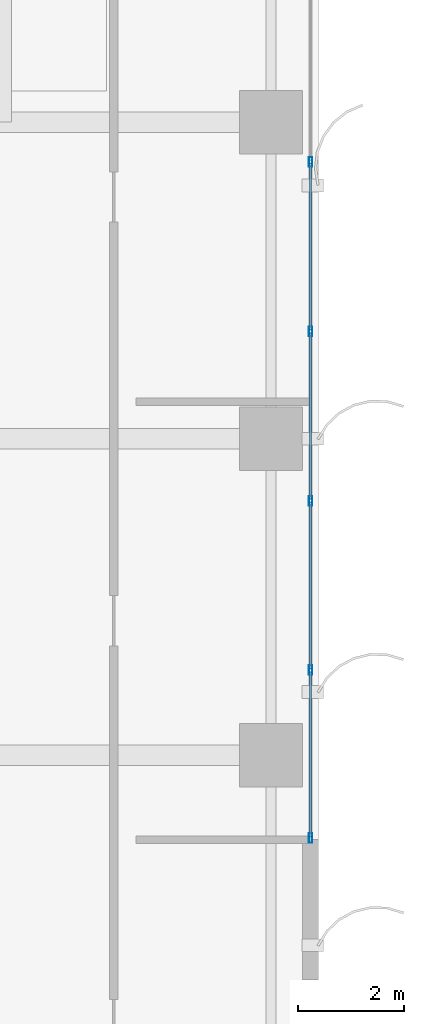
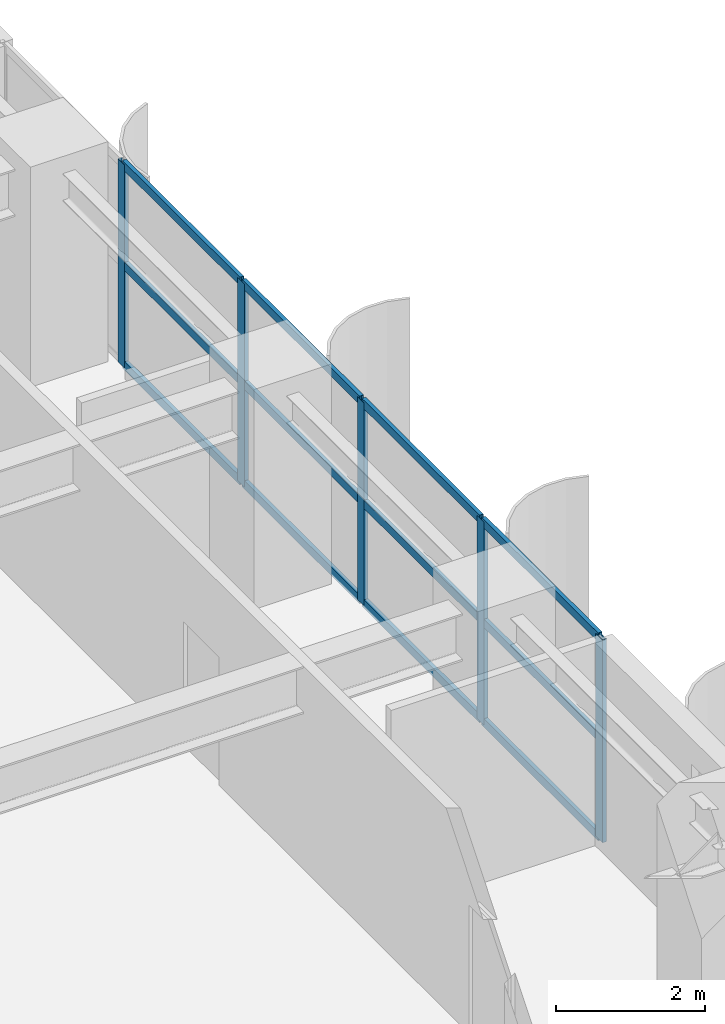
# One storey, part 7 of 23: 17 members, 1 element without a shape of its own.
"""IFC4 building model written with IfcOpenShell, lengths in metres."""

from ifc_helpers import new_model, si_unit, direction, frame, origin, origin_2d, place, context, subcontext, project, spatial, hollow_rectangle, extrude, source, transform, mapped, material, layer, layer_set, material_profile, profile_set, type_object, element, aggregate, save


model = new_model("IFC4")

# Units and contexts
model_context = context("Model", 3, precision=1e-05, world=origin(), true_north=direction((0.0, 1.0)))
body_context = subcontext(model_context, "Body", "Model", "MODEL_VIEW")
ifc_project = project(units=[si_unit("LENGTHUNIT", "METRE"), si_unit("AREAUNIT", "SQUARE_METRE"), si_unit("VOLUMEUNIT", "CUBIC_METRE"), si_unit("PLANEANGLEUNIT", "RADIAN"), si_unit("MASSUNIT", "GRAM", prefix="KILO")], contexts=[model_context])

# Site, building, storey
site_placement = place(None, origin())
site = spatial("IfcSite", under=ifc_project, at=site_placement, CompositionType="ELEMENT")
building_placement = place(site_placement, origin())
building = spatial("IfcBuilding", under=site, at=building_placement, Name="Khoralis Quay Care Tower", CompositionType="ELEMENT")
storey_placement = place(building_placement, frame((0.0, 0.0, 36.89990234375)))
storey = spatial("IfcBuildingStorey", under=building, at=storey_placement, Name="L09", CompositionType="ELEMENT", Elevation=36.89990234375)

# Curtain wall, members
ifc_material = material(Name="Pale anodised aluminium", Category="aluminium")
ifc_layer = layer(ifc_material, 0.179931640625)
ifc_layer_set = layer_set([ifc_layer], Name="Pale anodised aluminium")
curtain_wall_type = type_object("IfcCurtainWallType", Name="CW-SYS-Z1", PredefinedType="NOTDEFINED", material=ifc_layer_set)
curtain_wall_placement = place(storey_placement, origin())
curtain_wall = element("IfcCurtainWall", 1, at=curtain_wall_placement, inside=storey, type_object=curtain_wall_type, Name="L09 Unitised Curtain Wall CW-L09-P1-E5", PredefinedType="NOTDEFINED")
ifc_material_profile_1 = material_profile(ifc_material, hollow_rectangle(XDim=0.06494140625, YDim=0.179931640625, WallThickness=0.00390625, at=origin_2d()), Name="Pale anodised aluminium")
ifc_profile_set_1 = profile_set([ifc_material_profile_1], Name="Pale anodised aluminium")
member_type_1 = type_object("IfcMemberType", Name="CW-MUL-180", PredefinedType="MULLION", material=ifc_profile_set_1)
shared_shape_1 = source(origin(), body_context, "Body", "SweptSolid", [
    extrude(hollow_rectangle(XDim=0.06494140625, YDim=0.179931640625, WallThickness=0.00390625, at=origin_2d()), origin(), (0.0, 0.0, 1.0), 3.320068359375),
])
member_1_placement = place(storey_placement, frame((47.85009765625, 16.429931640625, 0.0), z_axis=(0.0, 0.0, 1.0), x_axis=(-1.0, 0.0, 0.0)))
member_1 = element("IfcMember", 2, at=member_1_placement, type_object=member_type_1, Name="CW1 mullion 1", PredefinedType="MULLION", context=body_context, shape_type="MappedRepresentation", body=[
    mapped(shared_shape_1, transform((0.0, 0.0, 0.0), scale=1.0)),
])
member_2_placement = place(storey_placement, frame((47.85009765625, 19.612060546875, 0.0), z_axis=(0.0, 0.0, 1.0), x_axis=(-1.0, 0.0, 0.0)))
member_2 = element("IfcMember", 3, at=member_2_placement, type_object=member_type_1, Name="CW1 mullion 2", PredefinedType="MULLION", context=body_context, shape_type="MappedRepresentation", body=[
    mapped(shared_shape_1, transform((0.0, 0.0, 0.0), scale=1.0)),
])
member_3_placement = place(storey_placement, frame((47.85009765625, 22.823974609375, 0.0), z_axis=(0.0, 0.0, 1.0), x_axis=(-1.0, 0.0, 0.0)))
member_3 = element("IfcMember", 4, at=member_3_placement, type_object=member_type_1, Name="CW1 mullion 3", PredefinedType="MULLION", context=body_context, shape_type="MappedRepresentation", body=[
    mapped(shared_shape_1, transform((0.0, 0.0, 0.0), scale=1.0)),
])
member_4_placement = place(storey_placement, frame((47.85009765625, 26.035888671875, 0.0), z_axis=(0.0, 0.0, 1.0), x_axis=(-1.0, 0.0, 0.0)))
member_4 = element("IfcMember", 5, at=member_4_placement, type_object=member_type_1, Name="CW1 mullion 4", PredefinedType="MULLION", context=body_context, shape_type="MappedRepresentation", body=[
    mapped(shared_shape_1, transform((0.0, 0.0, 0.0), scale=1.0)),
])
member_5_placement = place(storey_placement, frame((47.85009765625, 29.248046875, 0.0), z_axis=(0.0, 0.0, 1.0), x_axis=(-1.0, 0.0, 0.0)))
member_5 = element("IfcMember", 6, at=member_5_placement, type_object=member_type_1, Name="CW1 mullion 5", PredefinedType="MULLION", context=body_context, shape_type="MappedRepresentation", body=[
    mapped(shared_shape_1, transform((0.0, 0.0, 0.0), scale=1.0)),
])
ifc_material_profile_2 = material_profile(ifc_material, hollow_rectangle(XDim=0.06005859375, YDim=0.139892578125, WallThickness=0.00390625, at=origin_2d()), Name="Pale anodised aluminium")
ifc_profile_set_2 = profile_set([ifc_material_profile_2], Name="Pale anodised aluminium")
member_type_2 = type_object("IfcMemberType", Name="CW-TRN-140", PredefinedType="USERDEFINED", material=ifc_profile_set_2)
shared_shape_2 = source(origin(), body_context, "Body", "SweptSolid", [
    extrude(hollow_rectangle(XDim=0.06005859375, YDim=0.139892578125, WallThickness=0.00390625, at=origin_2d()), origin(), (0.0, 0.0, 1.0), 3.1220703125),
])
member_6_placement = place(storey_placement, frame((47.85009765625, 16.4599609375, 0.030029296875), z_axis=(0.0, 1.0, 0.0), x_axis=(-1.0, 0.0, 0.0)))
member_6 = element("IfcMember", 7, at=member_6_placement, type_object=member_type_2, Name="CW1 transom 1.1", ObjectType="TRANSOM", PredefinedType="USERDEFINED", context=body_context, shape_type="MappedRepresentation", body=[
    mapped(shared_shape_2, transform((0.0, 0.0, 0.0), scale=1.0)),
])
member_7_placement = place(storey_placement, frame((47.85009765625, 16.4599609375, 1.66015625), z_axis=(0.0, 1.0, 0.0), x_axis=(-1.0, 0.0, 0.0)))
member_7 = element("IfcMember", 8, at=member_7_placement, type_object=member_type_2, Name="CW1 transom 1.2", ObjectType="TRANSOM", PredefinedType="USERDEFINED", context=body_context, shape_type="MappedRepresentation", body=[
    mapped(shared_shape_2, transform((0.0, 0.0, 0.0), scale=1.0)),
])
member_8_placement = place(storey_placement, frame((47.85009765625, 16.4599609375, 3.2900390625), z_axis=(0.0, 1.0, 0.0), x_axis=(-1.0, 0.0, 0.0)))
member_8 = element("IfcMember", 9, at=member_8_placement, type_object=member_type_2, Name="CW1 transom 1.3", ObjectType="TRANSOM", PredefinedType="USERDEFINED", context=body_context, shape_type="MappedRepresentation", body=[
    mapped(shared_shape_2, transform((0.0, 0.0, 0.0), scale=1.0)),
])
shared_shape_3 = source(origin(), body_context, "Body", "SweptSolid", [
    extrude(hollow_rectangle(XDim=0.06005859375, YDim=0.139892578125, WallThickness=0.00390625, at=origin_2d()), origin(), (0.0, 0.0, 1.0), 3.15185546875),
])
member_9_placement = place(storey_placement, frame((47.85009765625, 19.64208984375, 0.030029296875), z_axis=(0.0, 1.0, 0.0), x_axis=(-1.0, 0.0, 0.0)))
member_9 = element("IfcMember", 10, at=member_9_placement, type_object=member_type_2, Name="CW1 transom 2.1", ObjectType="TRANSOM", PredefinedType="USERDEFINED", context=body_context, shape_type="MappedRepresentation", body=[
    mapped(shared_shape_3, transform((0.0, 0.0, 0.0), scale=1.0)),
])
member_10_placement = place(storey_placement, frame((47.85009765625, 19.64208984375, 1.66015625), z_axis=(0.0, 1.0, 0.0), x_axis=(-1.0, 0.0, 0.0)))
member_10 = element("IfcMember", 11, at=member_10_placement, type_object=member_type_2, Name="CW1 transom 2.2", ObjectType="TRANSOM", PredefinedType="USERDEFINED", context=body_context, shape_type="MappedRepresentation", body=[
    mapped(shared_shape_3, transform((0.0, 0.0, 0.0), scale=1.0)),
])
member_11_placement = place(storey_placement, frame((47.85009765625, 19.64208984375, 3.2900390625), z_axis=(0.0, 1.0, 0.0), x_axis=(-1.0, 0.0, 0.0)))
member_11 = element("IfcMember", 12, at=member_11_placement, type_object=member_type_2, Name="CW1 transom 2.3", ObjectType="TRANSOM", PredefinedType="USERDEFINED", context=body_context, shape_type="MappedRepresentation", body=[
    mapped(shared_shape_3, transform((0.0, 0.0, 0.0), scale=1.0)),
])
shared_shape_4 = source(origin(), body_context, "Body", "SweptSolid", [
    extrude(hollow_rectangle(XDim=0.06005859375, YDim=0.139892578125, WallThickness=0.00390625, at=origin_2d()), origin(), (0.0, 0.0, 1.0), 3.152099609375),
])
member_12_placement = place(storey_placement, frame((47.85009765625, 22.85400390625, 0.030029296875), z_axis=(0.0, 1.0, 0.0), x_axis=(-1.0, 0.0, 0.0)))
member_12 = element("IfcMember", 13, at=member_12_placement, type_object=member_type_2, Name="CW1 transom 3.1", ObjectType="TRANSOM", PredefinedType="USERDEFINED", context=body_context, shape_type="MappedRepresentation", body=[
    mapped(shared_shape_4, transform((0.0, 0.0, 0.0), scale=1.0)),
])
member_13_placement = place(storey_placement, frame((47.85009765625, 22.85400390625, 1.66015625), z_axis=(0.0, 1.0, 0.0), x_axis=(-1.0, 0.0, 0.0)))
member_13 = element("IfcMember", 14, at=member_13_placement, type_object=member_type_2, Name="CW1 transom 3.2", ObjectType="TRANSOM", PredefinedType="USERDEFINED", context=body_context, shape_type="MappedRepresentation", body=[
    mapped(shared_shape_4, transform((0.0, 0.0, 0.0), scale=1.0)),
])
member_14_placement = place(storey_placement, frame((47.85009765625, 22.85400390625, 3.2900390625), z_axis=(0.0, 1.0, 0.0), x_axis=(-1.0, 0.0, 0.0)))
member_14 = element("IfcMember", 15, at=member_14_placement, type_object=member_type_2, Name="CW1 transom 3.3", ObjectType="TRANSOM", PredefinedType="USERDEFINED", context=body_context, shape_type="MappedRepresentation", body=[
    mapped(shared_shape_4, transform((0.0, 0.0, 0.0), scale=1.0)),
])
member_15_placement = place(storey_placement, frame((47.85009765625, 26.06591796875, 0.030029296875), z_axis=(0.0, 1.0, 0.0), x_axis=(-1.0, 0.0, 0.0)))
member_15 = element("IfcMember", 16, at=member_15_placement, type_object=member_type_2, Name="CW1 transom 4.1", ObjectType="TRANSOM", PredefinedType="USERDEFINED", context=body_context, shape_type="MappedRepresentation", body=[
    mapped(shared_shape_4, transform((0.0, 0.0, 0.0), scale=1.0)),
])
member_16_placement = place(storey_placement, frame((47.85009765625, 26.06591796875, 1.66015625), z_axis=(0.0, 1.0, 0.0), x_axis=(-1.0, 0.0, 0.0)))
member_16 = element("IfcMember", 17, at=member_16_placement, type_object=member_type_2, Name="CW1 transom 4.2", ObjectType="TRANSOM", PredefinedType="USERDEFINED", context=body_context, shape_type="MappedRepresentation", body=[
    mapped(shared_shape_4, transform((0.0, 0.0, 0.0), scale=1.0)),
])
member_17_placement = place(storey_placement, frame((47.85009765625, 26.06591796875, 3.2900390625), z_axis=(0.0, 1.0, 0.0), x_axis=(-1.0, 0.0, 0.0)))
member_17 = element("IfcMember", 18, at=member_17_placement, type_object=member_type_2, Name="CW1 transom 4.3", ObjectType="TRANSOM", PredefinedType="USERDEFINED", context=body_context, shape_type="MappedRepresentation", body=[
    mapped(shared_shape_4, transform((0.0, 0.0, 0.0), scale=1.0)),
])
aggregate(curtain_wall, [member_1, member_2, member_3, member_4, member_5, member_6, member_7, member_8, member_9, member_10, member_11, member_12, member_13, member_14, member_15, member_16, member_17])

save(model, "model.ifc")
